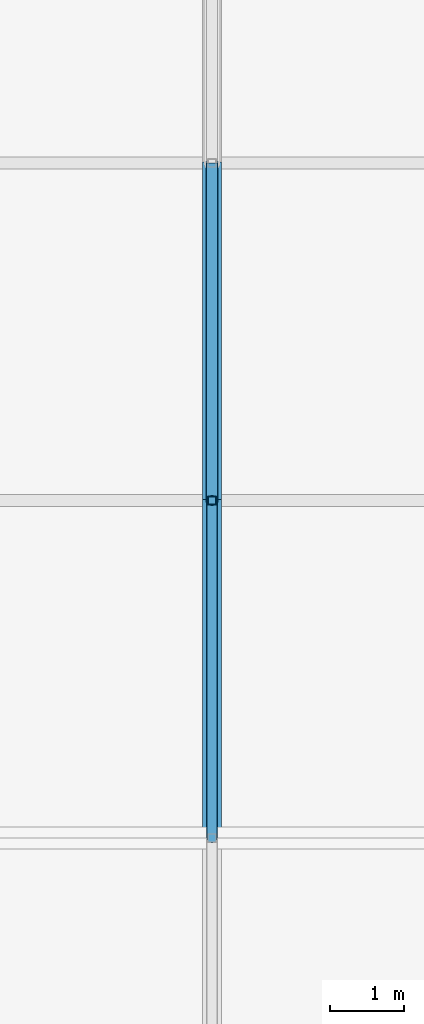
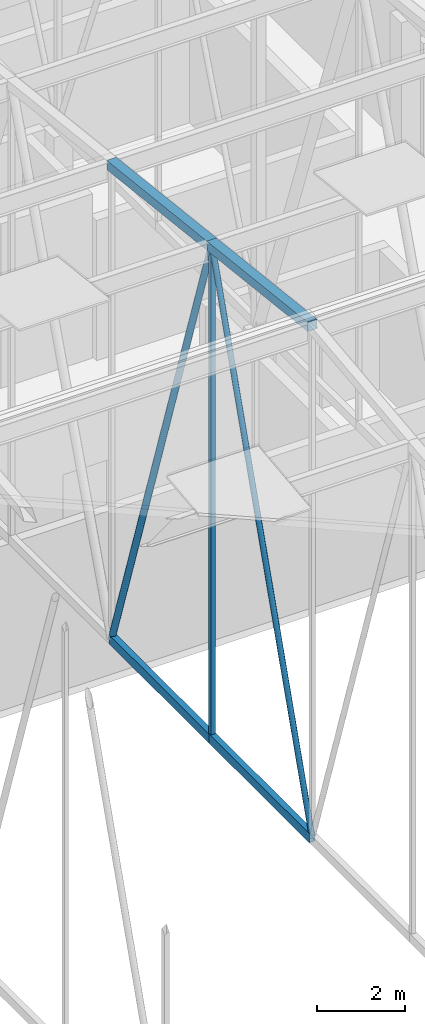
# One storey, part 173 of 500: 7 members.
"""IFC4 building model written with IfcOpenShell, lengths in metres."""

import ifcopenshell
import ifcopenshell.guid

model = None  # the IFC model being written
_history = None  # IfcOwnerHistory: only IFC2X3 demands one
_inside = {}  # id of a spatial element -> (the spatial element, [elements in it])
_under = {}  # id of a project, library or spatial element -> (it, [spatial elements below it])
_declared = {}  # id of a project -> (the project, [libraries it declares])
_typed = {}  # id of a type object -> (the type object, [elements of that type])
_made_of = {}  # id of a material, layer set ... -> (it, [elements and type objects made of it])


def new_model(schema):
    """Start an empty IFC model of exactly this schema.

    Asked for "IFC4X3", IfcOpenShell would pick the latest addendum, in which some entities
    have other attributes; the version numbers below select the first issue.
    IFC2X3 requires an IfcOwnerHistory on every rooted entity: one is made here for all.
    """
    global model, _history
    if schema == "IFC4X3":
        model = ifcopenshell.file(schema_version=(4, 3, 0, 0))
    else:
        model = ifcopenshell.file(schema=schema)
    _inside.clear()
    _under.clear()
    _declared.clear()
    _typed.clear()
    _made_of.clear()
    _history = None
    if model.schema == "IFC2X3":
        org = make("IfcOrganization", Name="unknown")
        user = make(
            "IfcPersonAndOrganization",
            ThePerson=make("IfcPerson", FamilyName="unknown"),
            TheOrganization=org,
        )
        app = make(
            "IfcApplication",
            ApplicationDeveloper=org,
            Version="unknown",
            ApplicationFullName="unknown",
            ApplicationIdentifier="unknown",
        )
        _history = make(
            "IfcOwnerHistory",
            OwningUser=user,
            OwningApplication=app,
            ChangeAction="ADDED",
            CreationDate=0,
        )
    return model


def make(cls, **values):
    """One entity of the class cls with the attributes given. An attribute that is None is left unset."""
    return model.create_entity(
        cls, **{name: value for name, value in values.items() if value is not None}
    )


def rooted(cls, **values):
    """An entity with a GlobalId (a new one), such as an element, a storey or a relation."""
    return make(cls, GlobalId=ifcopenshell.guid.new(), OwnerHistory=_history, **values)


def si_unit(unit_type, name, prefix=None):
    """IfcSIUnit, for example si_unit("LENGTHUNIT", "METRE", prefix="MILLI")."""
    return make("IfcSIUnit", UnitType=unit_type, Prefix=prefix, Name=name)


def assignment(units):
    """IfcUnitAssignment: the units of a project."""
    return None if units is None else make("IfcUnitAssignment", Units=units)


def point(xyz):
    """IfcCartesianPoint."""
    return None if xyz is None else make("IfcCartesianPoint", Coordinates=xyz)


def direction(xyz):
    """IfcDirection."""
    return None if xyz is None else make("IfcDirection", DirectionRatios=xyz)


def frame(location, z_axis=None, x_axis=None):
    """IfcAxis2Placement3D, a coordinate frame: its origin and axes. An axis left out is left unset."""
    return make(
        "IfcAxis2Placement3D",
        Location=point(location),
        Axis=direction(z_axis),
        RefDirection=direction(x_axis),
    )


def frame_2d(location, x_axis=None):
    """IfcAxis2Placement2D, a coordinate frame in the plane: its origin and x axis."""
    return make(
        "IfcAxis2Placement2D", Location=point(location), RefDirection=direction(x_axis)
    )


def origin():
    """The frame at (0, 0, 0) with its axes left unset."""
    return frame((0.0, 0.0, 0.0))


def origin_2d():
    """The frame at (0, 0) in the plane with its x axis left unset."""
    return frame_2d((0.0, 0.0))


def place(relative_to, where):
    """IfcLocalPlacement: puts the frame where relative to a parent placement (None: the world)."""
    return make(
        "IfcLocalPlacement", PlacementRelTo=relative_to, RelativePlacement=where
    )


def context(
    kind, dimensions, precision=None, world=None, true_north=None, identifier=None
):
    """IfcGeometricRepresentationContext, for example the 3D "Model" context."""
    return make(
        "IfcGeometricRepresentationContext",
        ContextIdentifier=identifier,
        ContextType=kind,
        CoordinateSpaceDimension=dimensions,
        Precision=precision,
        WorldCoordinateSystem=world,
        TrueNorth=true_north,
    )


def subcontext(parent, identifier, kind, view, scale=None):
    """IfcGeometricRepresentationSubContext, for example "Body" below "Model"."""
    return make(
        "IfcGeometricRepresentationSubContext",
        ContextIdentifier=identifier,
        ContextType=kind,
        ParentContext=parent,
        TargetScale=scale,
        TargetView=view,
    )


def project(units=None, contexts=None):
    """IfcProject with its units and contexts."""
    return rooted(
        "IfcProject",
        Name="project",
        RepresentationContexts=contexts,
        UnitsInContext=assignment(units),
    )


def spatial(cls, under=None, at=None, **own):
    """A site, building, storey or space (cls), placed at a placement, below another one or the project."""
    s = rooted(cls, ObjectPlacement=at, **own)
    if under is not None:
        _under.setdefault(under.id(), (under, []))[1].append(s)
    return s


def profile(cls, at=None, kind="AREA", **sizes):
    """A parametric profile (cls). Its sizes go by their IFC names, for example OverallWidth=200.0."""
    return make(cls, ProfileType=kind, Position=at, **sizes)


def hollow_rectangle(**sizes):
    """IfcRectangleHollowProfileDef."""
    return profile("IfcRectangleHollowProfileDef", **sizes)


def hollow_circle(**sizes):
    """IfcCircleHollowProfileDef."""
    return profile("IfcCircleHollowProfileDef", **sizes)


def extrude(swept, where, along, depth):
    """IfcExtrudedAreaSolid: the profile swept, set in the frame where, extruded along a direction by depth."""
    return make(
        "IfcExtrudedAreaSolid",
        SweptArea=swept,
        Position=where,
        ExtrudedDirection=direction(along),
        Depth=depth,
    )


def shape(context_of_items, identifier, shape_type, items):
    """IfcShapeRepresentation: the items that make up one representation, for example the "Body"."""
    return make(
        "IfcShapeRepresentation",
        ContextOfItems=context_of_items,
        RepresentationIdentifier=identifier,
        RepresentationType=shape_type,
        Items=items,
    )


def material(Name=None, Category=None):
    """IfcMaterial."""
    return make("IfcMaterial", Name=Name, Category=Category)


def material_profile(
    of_material, cross_section, Name=None, Category=None, Priority=None
):
    """IfcMaterialProfile: a cross section and its material."""
    return make(
        "IfcMaterialProfile",
        Name=Name,
        Material=of_material,
        Profile=cross_section,
        Priority=Priority,
        Category=Category,
    )


def profile_set(profiles, Name=None, composite=None):
    """IfcMaterialProfileSet."""
    return make(
        "IfcMaterialProfileSet",
        Name=Name,
        MaterialProfiles=profiles,
        CompositeProfile=composite,
    )


def made_of(thing, what):
    """Note that an element or type object is made of a material, layer set ...; save() writes the relation."""
    if what is not None:
        _made_of.setdefault(what.id(), (what, []))[1].append(thing)
    return thing


def type_object(cls, material=None, **own):
    """A type object (cls), such as IfcWallType, which elements share."""
    return made_of(rooted(cls, **own), material)


def element(
    cls,
    number,
    at=None,
    inside=None,
    cuts=None,
    type_object=None,
    material=None,
    context=None,
    identifier="Body",
    shape_type=None,
    held_by="IfcProductDefinitionShape",
    body=None,
    shapes=None,
    **own,
):
    """One element of the class cls, such as IfcWall. Its Tag is "e" and its number.

    at: its placement. inside: the storey or other place that contains it. cuts: it is an
    opening in that element (IfcRelVoidsElement). A single representation is given by context,
    identifier, shape_type and body (its items); several are given by shapes. held_by: the class
    of the entity that holds the representations. save() writes the other relations.
    """
    e = rooted(cls, Tag="e%d" % number, ObjectPlacement=at, **own)
    if body is not None:
        shapes = [shape(context, identifier, shape_type, body)]
    if shapes is not None:
        e.Representation = make(held_by, Representations=shapes)
    if inside is not None:
        _inside.setdefault(inside.id(), (inside, []))[1].append(e)
    if cuts is not None:
        rooted(
            "IfcRelVoidsElement", RelatingBuildingElement=cuts, RelatedOpeningElement=e
        )
    if type_object is not None:
        _typed.setdefault(type_object.id(), (type_object, []))[1].append(e)
    return made_of(e, material)


def aggregate(whole, parts):
    """IfcRelAggregates: a whole, such as a stair, and the parts it consists of."""
    return rooted("IfcRelAggregates", RelatingObject=whole, RelatedObjects=parts)


def save(model, path):
    """Write the relations noted so far, then the file.

    IfcRelAggregates (storeys below a building ...), IfcRelContainedInSpatialStructure (elements
    in a storey), IfcRelDefinesByType, IfcRelAssociatesMaterial and IfcRelDeclares: one each for
    every whole, place, type object, material and project.
    """
    for whole, parts in _under.values():
        aggregate(whole, parts)
    for where, things in _inside.values():
        rooted(
            "IfcRelContainedInSpatialStructure",
            RelatedElements=things,
            RelatingStructure=where,
        )
    for kind, things in _typed.values():
        rooted("IfcRelDefinesByType", RelatedObjects=things, RelatingType=kind)
    for what, things in _made_of.values():
        rooted("IfcRelAssociatesMaterial", RelatedObjects=things, RelatingMaterial=what)
    for by, libraries in _declared.values():
        rooted("IfcRelDeclares", RelatingContext=by, RelatedDefinitions=libraries)
    model.write(path)


model = new_model("IFC4")

# Units and contexts
model_context = context("Model", 3, precision=1e-05, world=origin(), true_north=direction((0.0, 1.0)))
body_context = subcontext(model_context, "Body", "Model", "MODEL_VIEW")
ifc_project = project(units=[si_unit("LENGTHUNIT", "METRE"), si_unit("AREAUNIT", "SQUARE_METRE"), si_unit("VOLUMEUNIT", "CUBIC_METRE"), si_unit("PLANEANGLEUNIT", "RADIAN"), si_unit("MASSUNIT", "GRAM", prefix="KILO")], contexts=[model_context])

# Site, building, storey
site_placement = place(None, origin())
site = spatial("IfcSite", under=ifc_project, at=site_placement, CompositionType="ELEMENT")
building_placement = place(site_placement, origin())
building = spatial("IfcBuilding", under=site, at=building_placement, Name="Shirokan Park Arena", CompositionType="ELEMENT")
storey_placement = place(building_placement, frame((0.0, 0.0, 29.1201171875)))
storey = spatial("IfcBuildingStorey", under=building, at=storey_placement, Name="L06", CompositionType="ELEMENT", Elevation=29.1201171875)

# Members
ifc_material = material(Name="Steel ASTM A500 Grade C", Category="steel")
ifc_material_profile_1 = material_profile(ifc_material, hollow_rectangle(XDim=0.152099609375, YDim=0.25390625, WallThickness=0.009521484375, at=origin_2d()), Name="HSS254X152.4X9.5")
ifc_profile_set_1 = profile_set([ifc_material_profile_1], Name="Steel ASTM A500 Grade C")
member_type_1 = type_object("IfcMemberType", Name="Bottom chord HSS254X152.4X9.5", PredefinedType="CHORD", material=ifc_profile_set_1)
member_1_placement = place(storey_placement, frame((18.199951171875, 54.60009765625, 4.677001953125), z_axis=(0.0, 1.0, 0.0), x_axis=(-1.0, 0.0, 0.0)))
element("IfcMember", 1, at=member_1_placement, inside=storey, type_object=member_type_1, Name="Truss T03 bottom chord 15", PredefinedType="CHORD", context=body_context, shape_type="SweptSolid", body=[
    extrude(hollow_rectangle(XDim=0.152099609375, YDim=0.25390625, WallThickness=0.009521484375, at=origin_2d()), origin(), (0.0, 0.0, 1.0), 4.5498046875),
])
member_2_placement = place(storey_placement, frame((18.199951171875, 59.14990234375, 4.677001953125), z_axis=(0.0, 1.0, 0.0), x_axis=(-1.0, 0.0, 0.0)))
element("IfcMember", 2, at=member_2_placement, inside=storey, type_object=member_type_1, Name="Truss T03 bottom chord 16", PredefinedType="CHORD", context=body_context, shape_type="SweptSolid", body=[
    extrude(hollow_rectangle(XDim=0.152099609375, YDim=0.25390625, WallThickness=0.009521484375, at=origin_2d()), origin(), (0.0, 0.0, 1.0), 4.550048828125),
])
ifc_material_profile_2 = material_profile(ifc_material, hollow_rectangle(XDim=0.25390625, YDim=0.25390625, WallThickness=0.009521484375, at=origin_2d()), Name="HSS254X254X9.5")
ifc_profile_set_2 = profile_set([ifc_material_profile_2], Name="Steel ASTM A500 Grade C")
member_type_2 = type_object("IfcMemberType", Name="Top chord HSS254X254X9.5", PredefinedType="CHORD", material=ifc_profile_set_2)
member_3_placement = place(storey_placement, frame((18.199951171875, 54.60009765625, 18.86279296875), z_axis=(0.0, 0.993531641592, -0.11355561261), x_axis=(-1.0, 0.0, 0.0)))
element("IfcMember", 3, at=member_3_placement, inside=storey, type_object=member_type_2, Name="Truss T03 top chord 15", PredefinedType="CHORD", context=body_context, shape_type="SweptSolid", body=[
    extrude(hollow_rectangle(XDim=0.25390625, YDim=0.25390625, WallThickness=0.009521484375, at=origin_2d()), origin(), (0.0, 0.0, 1.0), 4.579345703125),
])
member_4_placement = place(storey_placement, frame((18.199951171875, 59.14990234375, 18.3427734375), z_axis=(0.0, 0.993538341779, -0.113496975353), x_axis=(-1.0, 0.0, 0.0)))
element("IfcMember", 4, at=member_4_placement, inside=storey, type_object=member_type_2, Name="Truss T03 top chord 16", PredefinedType="CHORD", context=body_context, shape_type="SweptSolid", body=[
    extrude(hollow_rectangle(XDim=0.25390625, YDim=0.25390625, WallThickness=0.009521484375, at=origin_2d()), origin(), (0.0, 0.0, 1.0), 4.57958984375),
])
ifc_material_profile_3 = material_profile(ifc_material, hollow_circle(Radius=0.070556640625, WallThickness=0.006591796875, at=origin_2d()), Name="HSS141.3X6.6")
ifc_profile_set_3 = profile_set([ifc_material_profile_3], Name="Steel ASTM A500 Grade C")
member_type_3 = type_object("IfcMemberType", Name="Truss diagonal HSS141.3X6.6", PredefinedType="BRACE", material=ifc_profile_set_3)
member_5_placement = place(storey_placement, frame((18.199951171875, 54.60009765625, 4.677001953125), z_axis=(0.0, 0.315887043243, 0.948796804332), x_axis=(-1.0, 0.0, 0.0)))
element("IfcMember", 5, at=member_5_placement, inside=storey, type_object=member_type_3, Name="Truss T03 diagonal 15", PredefinedType="BRACE", context=body_context, shape_type="SweptSolid", body=[
    extrude(hollow_circle(Radius=0.070556640625, WallThickness=0.006591796875, at=origin_2d()), origin(), (0.0, 0.0, 1.0), 14.4033203125),
])
ifc_material_profile_4 = material_profile(ifc_material, hollow_circle(Radius=0.083984375, WallThickness=0.009521484375, at=origin_2d()), Name="HSS168.3X9.5")
ifc_profile_set_4 = profile_set([ifc_material_profile_4], Name="Steel ASTM A500 Grade C")
member_type_4 = type_object("IfcMemberType", Name="Truss diagonal HSS168.3X9.5", PredefinedType="BRACE", material=ifc_profile_set_4)
member_6_placement = place(storey_placement, frame((18.199951171875, 59.14990234375, 18.3427734375), z_axis=(0.0, 0.315902302102, -0.948791723998), x_axis=(-1.0, 0.0, 0.0)))
element("IfcMember", 6, at=member_6_placement, inside=storey, type_object=member_type_4, Name="Truss T03 diagonal 16", PredefinedType="BRACE", context=body_context, shape_type="SweptSolid", body=[
    extrude(hollow_circle(Radius=0.083984375, WallThickness=0.009521484375, at=origin_2d()), origin(), (0.0, 0.0, 1.0), 14.4033203125),
])
ifc_material_profile_5 = material_profile(ifc_material, hollow_rectangle(XDim=0.114013671875, YDim=0.114013671875, WallThickness=0.00634765625, at=origin_2d()), Name="HSS114.3X114.3X6.4")
ifc_profile_set_5 = profile_set([ifc_material_profile_5], Name="Steel ASTM A500 Grade C")
member_type_5 = type_object("IfcMemberType", Name="Truss post HSS114.3X114.3X6.4", PredefinedType="POST", material=ifc_profile_set_5)
member_7_placement = place(storey_placement, frame((18.199951171875, 59.14990234375, 4.677001953125), z_axis=(0.0, 0.0, 1.0), x_axis=(1.0, 0.0, 0.0)))
element("IfcMember", 7, at=member_7_placement, inside=storey, type_object=member_type_5, Name="Truss T03 post 16", PredefinedType="POST", context=body_context, shape_type="SweptSolid", body=[
    extrude(hollow_rectangle(XDim=0.114013671875, YDim=0.114013671875, WallThickness=0.00634765625, at=origin_2d()), origin(), (0.0, 0.0, 1.0), 13.665771484375),
])

save(model, "model.ifc")
